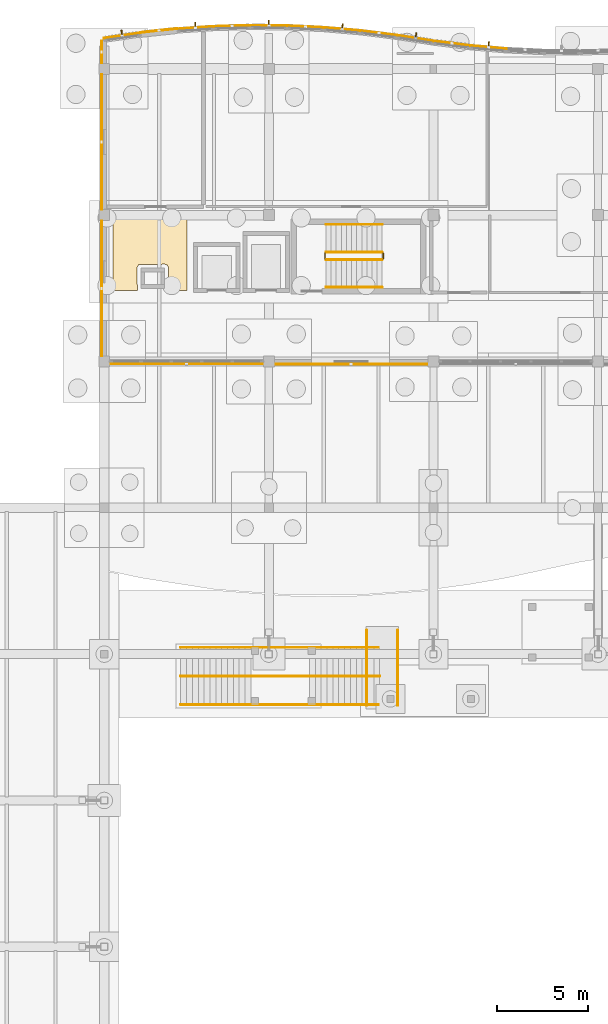
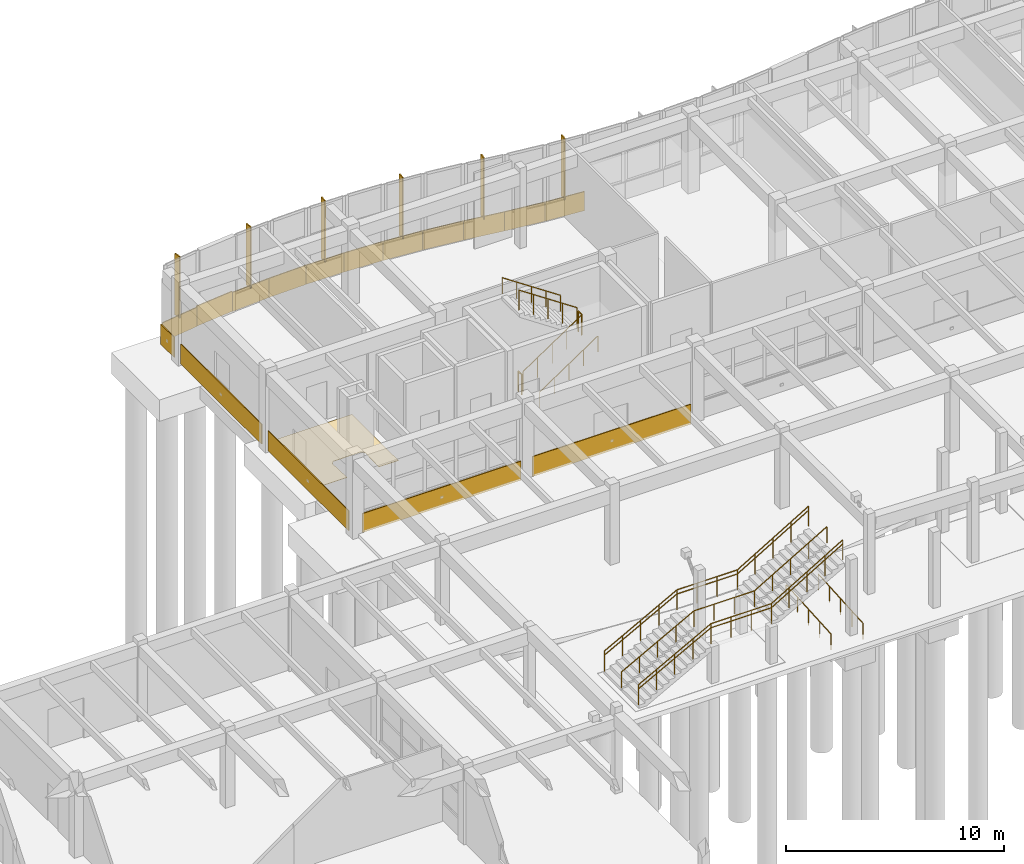
# One storey, part 90 of 99: 17 coverings, 13 railings, 6 shading devices.
"""IFC4 building model written with IfcOpenShell, lengths in metres."""

from ifc_helpers import new_model, si_unit, direction, frame, origin, origin_2d, place, context, subcontext, project, spatial, polyline, rectangle, circle, outline, extrude, material, layer, layer_set, type_object, element, save


model = new_model("IFC4")

# Units and contexts
model_context = context("Model", 3, precision=1e-05, world=origin(), true_north=direction((0.0, 1.0)))
body_context = subcontext(model_context, "Body", "Model", "MODEL_VIEW")
ifc_project = project(units=[si_unit("LENGTHUNIT", "METRE"), si_unit("AREAUNIT", "SQUARE_METRE"), si_unit("VOLUMEUNIT", "CUBIC_METRE"), si_unit("PLANEANGLEUNIT", "RADIAN"), si_unit("MASSUNIT", "GRAM", prefix="KILO")], contexts=[model_context])

# Site, building, storey
site_placement = place(None, origin())
site = spatial("IfcSite", under=ifc_project, at=site_placement, CompositionType="ELEMENT")
building_placement = place(site_placement, origin())
building = spatial("IfcBuilding", under=site, at=building_placement, Name="Tonlespit Floodbar School", CompositionType="ELEMENT")
storey_placement = place(building_placement, origin())
storey = spatial("IfcBuildingStorey", under=building, at=storey_placement, Name="L00", CompositionType="ELEMENT", Elevation=0.0)

# Railings
ifc_material_1 = material(Name="Galvanised Steel", Category="steel")
railing_type_1 = type_object("IfcRailingType", Name="Balustrade_Ext_1150", PredefinedType="BALUSTRADE", material=ifc_material_1)
railing_1_placement = place(storey_placement, frame((48.179931640625, 85.239990234375, 0.173095703125)))
element("IfcRailing", 1, at=railing_1_placement, inside=storey, type_object=railing_type_1, Name="ST-CT1 side guard 1", PredefinedType="BALUSTRADE", context=body_context, shape_type="SweptSolid", body=[
    extrude(circle(Radius=0.02392578125, at=origin_2d()), frame((0.0, 0.0, 1.1259765625), z_axis=(0.879593317441, 0.0, 0.475726387658), x_axis=(0.0, 1.0, 0.0)), (0.0, 0.0, 1.0), 4.36572265625),
    extrude(circle(Radius=0.02392578125, at=origin_2d()), frame((3.840087890625, 0.0, 3.20263671875), z_axis=(1.0, 0.0, 0.0), x_axis=(0.0, 1.0, 0.0)), (0.0, 0.0, 1.0), 3.199951171875),
    extrude(circle(Radius=0.02392578125, at=origin_2d()), frame((7.0400390625, 0.0, 3.20263671875), z_axis=(0.859294626741, 0.0, 0.511480932639), x_axis=(0.0, 1.0, 0.0)), (0.0, 0.0, 1.0), 4.39892578125),
    extrude(circle(Radius=0.02099609375, at=origin_2d()), origin(), (0.0, 0.0, 1.0), 1.101806640625),
    extrude(circle(Radius=0.02099609375, at=origin_2d()), frame((0.9599609375, 0.0, 0.519287109375)), (0.0, 0.0, 1.0), 1.101806640625),
    extrude(circle(Radius=0.02099609375, at=origin_2d()), frame((1.919921875, 0.0, 1.03857421875)), (0.0, 0.0, 1.0), 1.101806640625),
    extrude(circle(Radius=0.02099609375, at=origin_2d()), frame((2.880126953125, 0.0, 1.5576171875)), (0.0, 0.0, 1.0), 1.101806640625),
    extrude(circle(Radius=0.02099609375, at=origin_2d()), frame((3.840087890625, 0.0, 2.076904296875)), (0.0, 0.0, 1.0), 1.101806640625),
    extrude(circle(Radius=0.02099609375, at=origin_2d()), frame((4.90673828125, 0.0, 2.076904296875)), (0.0, 0.0, 1.0), 1.101806640625),
    extrude(circle(Radius=0.02099609375, at=origin_2d()), frame((5.973388671875, 0.0, 2.076904296875)), (0.0, 0.0, 1.0), 1.101806640625),
    extrude(circle(Radius=0.02099609375, at=origin_2d()), frame((7.0400390625, 0.0, 2.076904296875)), (0.0, 0.0, 1.0), 1.101806640625),
    extrude(circle(Radius=0.02099609375, at=origin_2d()), frame((7.985107421875, 0.0, 2.639404296875)), (0.0, 0.0, 1.0), 1.101806640625),
    extrude(circle(Radius=0.02099609375, at=origin_2d()), frame((8.93017578125, 0.0, 3.201904296875)), (0.0, 0.0, 1.0), 1.101806640625),
    extrude(circle(Radius=0.02099609375, at=origin_2d()), frame((9.875, 0.0, 3.764404296875)), (0.0, 0.0, 1.0), 1.101806640625),
    extrude(circle(Radius=0.02099609375, at=origin_2d()), frame((10.820068359375, 0.0, 4.326904296875)), (0.0, 0.0, 1.0), 1.101806640625),
])
railing_2_placement = place(storey_placement, frame((48.179931640625, 88.360107421875, 0.173095703125)))
element("IfcRailing", 2, at=railing_2_placement, inside=storey, type_object=railing_type_1, Name="ST-CT1 side guard 2", PredefinedType="BALUSTRADE", context=body_context, shape_type="SweptSolid", body=[
    extrude(circle(Radius=0.02392578125, at=origin_2d()), frame((0.0, 0.0, 1.1259765625), z_axis=(0.879593317441, 0.0, 0.475726387658), x_axis=(0.0, 1.0, 0.0)), (0.0, 0.0, 1.0), 4.36572265625),
    extrude(circle(Radius=0.02392578125, at=origin_2d()), frame((3.840087890625, 0.0, 3.20263671875), z_axis=(1.0, 0.0, 0.0), x_axis=(0.0, 1.0, 0.0)), (0.0, 0.0, 1.0), 3.199951171875),
    extrude(circle(Radius=0.02392578125, at=origin_2d()), frame((7.0400390625, 0.0, 3.20263671875), z_axis=(0.859294626741, 0.0, 0.511480932639), x_axis=(0.0, 1.0, 0.0)), (0.0, 0.0, 1.0), 4.39892578125),
    extrude(circle(Radius=0.02099609375, at=origin_2d()), origin(), (0.0, 0.0, 1.0), 1.101806640625),
    extrude(circle(Radius=0.02099609375, at=origin_2d()), frame((0.9599609375, 0.0, 0.519287109375)), (0.0, 0.0, 1.0), 1.101806640625),
    extrude(circle(Radius=0.02099609375, at=origin_2d()), frame((1.919921875, 0.0, 1.03857421875)), (0.0, 0.0, 1.0), 1.101806640625),
    extrude(circle(Radius=0.02099609375, at=origin_2d()), frame((2.880126953125, 0.0, 1.5576171875)), (0.0, 0.0, 1.0), 1.101806640625),
    extrude(circle(Radius=0.02099609375, at=origin_2d()), frame((3.840087890625, 0.0, 2.076904296875)), (0.0, 0.0, 1.0), 1.101806640625),
    extrude(circle(Radius=0.02099609375, at=origin_2d()), frame((4.90673828125, 0.0, 2.076904296875)), (0.0, 0.0, 1.0), 1.101806640625),
    extrude(circle(Radius=0.02099609375, at=origin_2d()), frame((5.973388671875, 0.0, 2.076904296875)), (0.0, 0.0, 1.0), 1.101806640625),
    extrude(circle(Radius=0.02099609375, at=origin_2d()), frame((7.0400390625, 0.0, 2.076904296875)), (0.0, 0.0, 1.0), 1.101806640625),
    extrude(circle(Radius=0.02099609375, at=origin_2d()), frame((7.985107421875, 0.0, 2.639404296875)), (0.0, 0.0, 1.0), 1.101806640625),
    extrude(circle(Radius=0.02099609375, at=origin_2d()), frame((8.93017578125, 0.0, 3.201904296875)), (0.0, 0.0, 1.0), 1.101806640625),
    extrude(circle(Radius=0.02099609375, at=origin_2d()), frame((9.875, 0.0, 3.764404296875)), (0.0, 0.0, 1.0), 1.101806640625),
    extrude(circle(Radius=0.02099609375, at=origin_2d()), frame((10.820068359375, 0.0, 4.326904296875)), (0.0, 0.0, 1.0), 1.101806640625),
])

# Coverings
ifc_material_2 = material(Name="White Architectural Aluminium", Category="aluminium")
ifc_layer_1 = layer(ifc_material_2, 0.050048828125)
ifc_layer_set_1 = layer_set([ifc_layer_1], Name="White Architectural Aluminium")
covering_type_1 = type_object("IfcCoveringType", Name="Cladding_WhiteBand_50", PredefinedType="CLADDING", material=ifc_layer_set_1)
covering_1_placement = place(storey_placement, frame((0.0, 0.0, -0.1201171875)))
element("IfcCovering", 3, at=covering_1_placement, inside=storey, type_object=covering_type_1, Name="L00 curved white spandrel cladding 0001", PredefinedType="CLADDING", context=body_context, shape_type="SweptSolid", body=[
    extrude(outline(polyline([(43.985595703125, 121.64892578125), (45.985595703125, 121.940673828125), (45.978515625, 121.989990234375), (43.978515625, 121.698486328125), (43.985595703125, 121.64892578125)])), origin(), (0.0, 0.0, 1.0), 1.070068359375),
])
covering_2_placement = place(storey_placement, frame((0.0, 0.0, -0.1201171875)))
element("IfcCovering", 4, at=covering_2_placement, inside=storey, type_object=covering_type_1, Name="L00 curved white spandrel cladding 0002", PredefinedType="CLADDING", context=body_context, shape_type="SweptSolid", body=[
    extrude(outline(polyline([(45.9873046875, 121.9609375), (47.9873046875, 122.173583984375), (47.98193359375, 122.223388671875), (45.98193359375, 122.010498046875), (45.9873046875, 121.9609375)])), origin(), (0.0, 0.0, 1.0), 1.1201171875),
])
covering_3_placement = place(storey_placement, frame((0.0, 0.0, -0.1201171875)))
element("IfcCovering", 5, at=covering_3_placement, inside=storey, type_object=covering_type_1, Name="L00 curved white spandrel cladding 0003", PredefinedType="CLADDING", context=body_context, shape_type="SweptSolid", body=[
    extrude(outline(polyline([(47.993408203125, 122.154052734375), (49.993408203125, 122.2890625), (49.989990234375, 122.339111328125), (47.989990234375, 122.2041015625), (47.993408203125, 122.154052734375)])), origin(), (0.0, 0.0, 1.0), 1.070068359375),
])
covering_4_placement = place(storey_placement, frame((0.0, 0.0, -0.1201171875)))
element("IfcCovering", 6, at=covering_4_placement, inside=storey, type_object=covering_type_1, Name="L00 curved white spandrel cladding 0004", PredefinedType="CLADDING", context=body_context, shape_type="SweptSolid", body=[
    extrude(outline(polyline([(49.9970703125, 122.289306640625), (51.9970703125, 122.346923828125), (51.99560546875, 122.39697265625), (49.99560546875, 122.33935546875), (49.9970703125, 122.289306640625)])), origin(), (0.0, 0.0, 1.0), 1.070068359375),
])
covering_5_placement = place(storey_placement, frame((0.0, 0.0, -0.1201171875)))
element("IfcCovering", 7, at=covering_5_placement, inside=storey, type_object=covering_type_1, Name="L00 curved white spandrel cladding 0005", PredefinedType="CLADDING", context=body_context, shape_type="SweptSolid", body=[
    extrude(outline(polyline([(52.0009765625, 122.346923828125), (54.0009765625, 122.327880859375), (54.00146484375, 122.377685546875), (52.00146484375, 122.39697265625), (52.0009765625, 122.346923828125)])), origin(), (0.0, 0.0, 1.0), 1.070068359375),
])
covering_6_placement = place(storey_placement, frame((0.0, 0.0, -0.1201171875)))
element("IfcCovering", 8, at=covering_6_placement, inside=storey, type_object=covering_type_1, Name="L00 curved white spandrel cladding 0006", PredefinedType="CLADDING", context=body_context, shape_type="SweptSolid", body=[
    extrude(outline(polyline([(54.0048828125, 122.32763671875), (56.0048828125, 122.2314453125), (56.007080078125, 122.28125), (54.007080078125, 122.377685546875), (54.0048828125, 122.32763671875)])), origin(), (0.0, 0.0, 1.0), 1.070068359375),
])
covering_7_placement = place(storey_placement, frame((0.0, 0.0, -0.1201171875)))
element("IfcCovering", 9, at=covering_7_placement, inside=storey, type_object=covering_type_1, Name="L00 curved white spandrel cladding 0007", PredefinedType="CLADDING", context=body_context, shape_type="SweptSolid", body=[
    extrude(outline(polyline([(56.0087890625, 122.231201171875), (58.0087890625, 122.057373046875), (58.012939453125, 122.107177734375), (56.012939453125, 122.281005859375), (56.0087890625, 122.231201171875)])), origin(), (0.0, 0.0, 1.0), 1.070068359375),
])
covering_8_placement = place(storey_placement, frame((0.0, 0.0, -0.1201171875)))
element("IfcCovering", 10, at=covering_8_placement, inside=storey, type_object=covering_type_1, Name="L00 curved white spandrel cladding 0008", PredefinedType="CLADDING", context=body_context, shape_type="SweptSolid", body=[
    extrude(outline(polyline([(58.012451171875, 122.056884765625), (60.012451171875, 121.804931640625), (60.018798828125, 121.8544921875), (58.018798828125, 122.1064453125), (58.012451171875, 122.056884765625)])), origin(), (0.0, 0.0, 1.0), 1.070068359375),
])
covering_9_placement = place(storey_placement, frame((0.0, 0.0, -0.1201171875)))
element("IfcCovering", 11, at=covering_9_placement, inside=storey, type_object=covering_type_1, Name="L00 curved white spandrel cladding 0009", PredefinedType="CLADDING", context=body_context, shape_type="SweptSolid", body=[
    extrude(outline(polyline([(60.015380859375, 121.804443359375), (62.015380859375, 121.4931640625), (62.023193359375, 121.54248046875), (60.023193359375, 121.85400390625), (60.015380859375, 121.804443359375)])), origin(), (0.0, 0.0, 1.0), 1.070068359375),
])
covering_10_placement = place(storey_placement, frame((0.0, 0.0, -0.1201171875)))
element("IfcCovering", 12, at=covering_10_placement, inside=storey, type_object=covering_type_1, Name="L00 curved white spandrel cladding 0010", PredefinedType="CLADDING", context=body_context, shape_type="SweptSolid", body=[
    extrude(outline(polyline([(62.012451171875, 121.493408203125), (64.012451171875, 121.241455078125), (64.018798828125, 121.291015625), (62.018798828125, 121.543212890625), (62.012451171875, 121.493408203125)])), origin(), (0.0, 0.0, 1.0), 1.070068359375),
])
covering_11_placement = place(storey_placement, frame((0.0, 0.0, -0.1201171875)))
element("IfcCovering", 13, at=covering_11_placement, inside=storey, type_object=covering_type_1, Name="L00 curved white spandrel cladding 0011", PredefinedType="CLADDING", context=body_context, shape_type="SweptSolid", body=[
    extrude(outline(polyline([(64.0087890625, 121.241943359375), (66.0087890625, 121.068115234375), (66.012939453125, 121.117919921875), (64.012939453125, 121.291748046875), (64.0087890625, 121.241943359375)])), origin(), (0.0, 0.0, 1.0), 1.070068359375),
])
covering_12_placement = place(storey_placement, frame((0.0, 0.0, -0.1201171875)))
element("IfcCovering", 14, at=covering_12_placement, inside=storey, type_object=covering_type_1, Name="L00 curved white spandrel cladding 0043", PredefinedType="CLADDING", context=body_context, shape_type="SweptSolid", body=[
    extrude(outline(polyline([(61.699951171875, 103.8798828125), (53.300048828125, 103.8798828125), (53.300048828125, 103.830078125), (61.699951171875, 103.830078125), (61.699951171875, 103.8798828125)])), origin(), (0.0, 0.0, 1.0), 1.1201171875),
])
covering_13_placement = place(storey_placement, frame((0.0, 0.0, -0.1201171875)))
element("IfcCovering", 15, at=covering_13_placement, inside=storey, type_object=covering_type_1, Name="L00 curved white spandrel cladding 0044", PredefinedType="CLADDING", context=body_context, shape_type="SweptSolid", body=[
    extrude(outline(polyline([(52.699951171875, 103.89990234375), (44.300048828125, 103.89990234375), (44.300048828125, 103.85009765625), (52.699951171875, 103.85009765625), (52.699951171875, 103.89990234375)])), origin(), (0.0, 0.0, 1.0), 1.070068359375),
])
covering_14_placement = place(storey_placement, frame((0.0, 0.0, -0.1201171875)))
element("IfcCovering", 16, at=covering_14_placement, inside=storey, type_object=covering_type_1, Name="L00 curved white spandrel cladding 0045", PredefinedType="CLADDING", context=body_context, shape_type="SweptSolid", body=[
    extrude(outline(polyline([(43.8798828125, 104.300048828125), (43.8798828125, 111.699951171875), (43.830078125, 111.699951171875), (43.830078125, 104.300048828125), (43.8798828125, 104.300048828125)])), origin(), (0.0, 0.0, 1.0), 1.1201171875),
])
covering_15_placement = place(storey_placement, frame((0.0, 0.0, -0.1201171875)))
element("IfcCovering", 17, at=covering_15_placement, inside=storey, type_object=covering_type_1, Name="L00 curved white spandrel cladding 0046", PredefinedType="CLADDING", context=body_context, shape_type="SweptSolid", body=[
    extrude(outline(polyline([(43.8798828125, 112.300048828125), (43.8798828125, 119.699951171875), (43.830078125, 119.699951171875), (43.830078125, 112.300048828125), (43.8798828125, 112.300048828125)])), origin(), (0.0, 0.0, 1.0), 1.1201171875),
])
covering_16_placement = place(storey_placement, frame((0.0, 0.0, -0.1201171875)))
element("IfcCovering", 18, at=covering_16_placement, inside=storey, type_object=covering_type_1, Name="L00 curved white spandrel cladding 0047", PredefinedType="CLADDING", context=body_context, shape_type="SweptSolid", body=[
    extrude(outline(polyline([(43.8798828125, 120.300048828125), (43.8798828125, 121.550048828125), (43.830078125, 121.550048828125), (43.830078125, 120.300048828125), (43.8798828125, 120.300048828125)])), origin(), (0.0, 0.0, 1.0), 1.1201171875),
])
ifc_material_3 = material(Name="Terrazzo Tile")
ifc_layer_2 = layer(ifc_material_3, 0.02001953125)
ifc_layer_set_2 = layer_set([ifc_layer_2], Name="Terrazzo Tile")
covering_type_2 = type_object("IfcCoveringType", Name="Flooring_Terrazzo_20", PredefinedType="FLOORING", material=ifc_layer_set_2)
covering_17_placement = place(storey_placement, origin())
element("IfcCovering", 19, at=covering_17_placement, inside=storey, type_object=covering_type_2, Name="L00 West Core Link Passage terrazzo flooring", PredefinedType="FLOORING", context=body_context, shape_type="SweptSolid", body=[
    extrude(outline(polyline([(44.469970703125, 111.548095703125), (44.52001953125, 112.1298828125), (48.530029296875, 112.1298828125), (48.530029296875, 107.8701171875), (47.487060546875, 107.8701171875), (47.51904296875, 109.1396484375), (47.447021484375, 109.274658203125), (47.320068359375, 109.320068359375), (45.8857421875, 109.29638671875), (45.781005859375, 109.1396484375), (45.81298828125, 107.8701171875), (44.469970703125, 107.8701171875), (44.469970703125, 111.548095703125)])), origin(), (0.0, 0.0, 1.0), 0.02001953125),
])

# Railings
railing_type_2 = type_object("IfcRailingType", Name="Guard_Int_1150", PredefinedType="BALUSTRADE", material=ifc_material_1)
railing_3_placement = place(storey_placement, frame((56.1201171875, 109.570068359375, 0.1875)))
element("IfcRailing", 20, at=railing_3_placement, inside=storey, type_object=railing_type_2, Name="L00 ST-C1 stair guard 1", PredefinedType="BALUSTRADE", context=body_context, shape_type="SweptSolid", body=[
    extrude(circle(Radius=0.02392578125, at=origin_2d()), frame((0.0, 0.0, 1.1259765625), z_axis=(0.830893310487, 0.0, 0.556431762742), x_axis=(0.0, 1.0, 0.0)), (0.0, 0.0, 1.0), 3.70654296875),
    extrude(circle(Radius=0.02099609375, at=origin_2d()), origin(), (0.0, 0.0, 1.0), 1.101806640625),
    extrude(circle(Radius=0.02099609375, at=origin_2d()), frame((0.77001953125, 0.0, 0.515625)), (0.0, 0.0, 1.0), 1.101806640625),
    extrude(circle(Radius=0.02099609375, at=origin_2d()), frame((1.5400390625, 0.0, 1.03125)), (0.0, 0.0, 1.0), 1.101806640625),
    extrude(circle(Radius=0.02099609375, at=origin_2d()), frame((2.309814453125, 0.0, 1.546875)), (0.0, 0.0, 1.0), 1.101806640625),
    extrude(circle(Radius=0.02099609375, at=origin_2d()), frame((3.079833984375, 0.0, 2.0625)), (0.0, 0.0, 1.0), 1.101806640625),
])
railing_4_placement = place(storey_placement, frame((59.25, 109.6201171875, 2.25)))
element("IfcRailing", 21, at=railing_4_placement, inside=storey, type_object=railing_type_2, Name="L00 ST-C1 stair guard 2", PredefinedType="BALUSTRADE", context=body_context, shape_type="SweptSolid", body=[
    extrude(circle(Radius=0.02392578125, at=origin_2d()), frame((0.0, 0.0, 1.1259765625), z_axis=(0.0, 1.0, 0.0), x_axis=(-1.0, 0.0, 0.0)), (0.0, 0.0, 1.0), 0.2998046875),
    extrude(circle(Radius=0.02099609375, at=origin_2d()), origin(), (0.0, 0.0, 1.0), 1.101806640625),
    extrude(circle(Radius=0.02099609375, at=origin_2d()), frame((0.0, 0.2998046875, 0.0)), (0.0, 0.0, 1.0), 1.101806640625),
])
railing_5_placement = place(storey_placement, frame((59.199951171875, 109.969970703125, 2.4375)))
element("IfcRailing", 22, at=railing_5_placement, inside=storey, type_object=railing_type_2, Name="L00 ST-C1 stair guard 3", PredefinedType="BALUSTRADE", context=body_context, shape_type="SweptSolid", body=[
    extrude(circle(Radius=0.02392578125, at=origin_2d()), frame((0.0, 0.0, 1.1259765625), z_axis=(-0.830893310487, 0.0, 0.556431762742), x_axis=(0.0, -1.0, 0.0)), (0.0, 0.0, 1.0), 3.70654296875),
    extrude(circle(Radius=0.02099609375, at=origin_2d()), origin(), (0.0, 0.0, 1.0), 1.101806640625),
    extrude(circle(Radius=0.02099609375, at=origin_2d()), frame((-0.77001953125, 0.0, 0.515625)), (0.0, 0.0, 1.0), 1.101806640625),
    extrude(circle(Radius=0.02099609375, at=origin_2d()), frame((-1.5400390625, 0.0, 1.03125)), (0.0, 0.0, 1.0), 1.101806640625),
    extrude(circle(Radius=0.02099609375, at=origin_2d()), frame((-2.309814453125, 0.0, 1.546875)), (0.0, 0.0, 1.0), 1.101806640625),
    extrude(circle(Radius=0.02099609375, at=origin_2d()), frame((-3.079833984375, 0.0, 2.0625)), (0.0, 0.0, 1.0), 1.101806640625),
])
railing_6_placement = place(storey_placement, frame((56.070068359375, 109.6201171875, 0.0)))
element("IfcRailing", 23, at=railing_6_placement, inside=storey, type_object=railing_type_2, Name="L00 ST-C1 stair guard 4", PredefinedType="BALUSTRADE", context=body_context, shape_type="SweptSolid", body=[
    extrude(circle(Radius=0.02392578125, at=origin_2d()), frame((0.0, 0.0, 1.1259765625), z_axis=(0.0, 1.0, 0.0), x_axis=(-1.0, 0.0, 0.0)), (0.0, 0.0, 1.0), 0.2998046875),
    extrude(circle(Radius=0.02099609375, at=origin_2d()), origin(), (0.0, 0.0, 1.0), 1.101806640625),
    extrude(circle(Radius=0.02099609375, at=origin_2d()), frame((0.0, 0.2998046875, 0.0)), (0.0, 0.0, 1.0), 1.101806640625),
])
railing_type_3 = type_object("IfcRailingType", Name="Handrail_Ext_920", PredefinedType="HANDRAIL", material=ifc_material_1)
railing_7_placement = place(storey_placement, frame((48.179931640625, 86.800048828125, 0.173095703125)))
element("IfcRailing", 24, at=railing_7_placement, inside=storey, type_object=railing_type_3, Name="ST-CT1 central handrail", PredefinedType="HANDRAIL", context=body_context, shape_type="SweptSolid", body=[
    extrude(circle(Radius=0.02392578125, at=origin_2d()), frame((0.0, 0.0, 0.89599609375), z_axis=(0.879593317441, 0.0, 0.475726387658), x_axis=(0.0, 1.0, 0.0)), (0.0, 0.0, 1.0), 4.36572265625),
    extrude(circle(Radius=0.02392578125, at=origin_2d()), frame((3.840087890625, 0.0, 2.97265625), z_axis=(1.0, 0.0, 0.0), x_axis=(0.0, 1.0, 0.0)), (0.0, 0.0, 1.0), 3.199951171875),
    extrude(circle(Radius=0.02392578125, at=origin_2d()), frame((7.0400390625, 0.0, 2.97265625), z_axis=(0.862804407299, 0.0, 0.505537886558), x_axis=(0.0, 1.0, 0.0)), (0.0, 0.0, 1.0), 4.45068359375),
    extrude(circle(Radius=0.02099609375, at=origin_2d()), origin(), (0.0, 0.0, 1.0), 0.871826171875),
    extrude(circle(Radius=0.02099609375, at=origin_2d()), frame((0.9599609375, 0.0, 0.519287109375)), (0.0, 0.0, 1.0), 0.871826171875),
    extrude(circle(Radius=0.02099609375, at=origin_2d()), frame((1.919921875, 0.0, 1.03857421875)), (0.0, 0.0, 1.0), 0.871826171875),
    extrude(circle(Radius=0.02099609375, at=origin_2d()), frame((2.880126953125, 0.0, 1.5576171875)), (0.0, 0.0, 1.0), 0.871826171875),
    extrude(circle(Radius=0.02099609375, at=origin_2d()), frame((3.840087890625, 0.0, 2.076904296875)), (0.0, 0.0, 1.0), 0.871826171875),
    extrude(circle(Radius=0.02099609375, at=origin_2d()), frame((4.90673828125, 0.0, 2.076904296875)), (0.0, 0.0, 1.0), 0.871826171875),
    extrude(circle(Radius=0.02099609375, at=origin_2d()), frame((5.973388671875, 0.0, 2.076904296875)), (0.0, 0.0, 1.0), 0.871826171875),
    extrude(circle(Radius=0.02099609375, at=origin_2d()), frame((7.0400390625, 0.0, 2.076904296875)), (0.0, 0.0, 1.0), 0.871826171875),
    extrude(circle(Radius=0.02099609375, at=origin_2d()), frame((8.0, 0.0, 2.639404296875)), (0.0, 0.0, 1.0), 0.871826171875),
    extrude(circle(Radius=0.02099609375, at=origin_2d()), frame((8.9599609375, 0.0, 3.201904296875)), (0.0, 0.0, 1.0), 0.871826171875),
    extrude(circle(Radius=0.02099609375, at=origin_2d()), frame((9.920166015625, 0.0, 3.764404296875)), (0.0, 0.0, 1.0), 0.871826171875),
    extrude(circle(Radius=0.02099609375, at=origin_2d()), frame((10.880126953125, 0.0, 4.326904296875)), (0.0, 0.0, 1.0), 0.871826171875),
])
railing_8_placement = place(storey_placement, frame((48.179931640625, 85.239990234375, 0.173095703125)))
element("IfcRailing", 25, at=railing_8_placement, inside=storey, type_object=railing_type_3, Name="ST-CT1 handrail 1", PredefinedType="HANDRAIL", context=body_context, shape_type="SweptSolid", body=[
    extrude(circle(Radius=0.02392578125, at=origin_2d()), frame((0.0, 0.0, 0.89599609375), z_axis=(0.879593317441, 0.0, 0.475726387658), x_axis=(0.0, 1.0, 0.0)), (0.0, 0.0, 1.0), 4.36572265625),
    extrude(circle(Radius=0.02392578125, at=origin_2d()), frame((3.840087890625, 0.0, 2.97265625), z_axis=(1.0, 0.0, 0.0), x_axis=(0.0, 1.0, 0.0)), (0.0, 0.0, 1.0), 3.199951171875),
    extrude(circle(Radius=0.02392578125, at=origin_2d()), frame((7.0400390625, 0.0, 2.97265625), z_axis=(0.859294626741, 0.0, 0.511480932639), x_axis=(0.0, 1.0, 0.0)), (0.0, 0.0, 1.0), 4.39892578125),
    extrude(circle(Radius=0.02099609375, at=origin_2d()), origin(), (0.0, 0.0, 1.0), 0.871826171875),
    extrude(circle(Radius=0.02099609375, at=origin_2d()), frame((0.9599609375, 0.0, 0.519287109375)), (0.0, 0.0, 1.0), 0.871826171875),
    extrude(circle(Radius=0.02099609375, at=origin_2d()), frame((1.919921875, 0.0, 1.03857421875)), (0.0, 0.0, 1.0), 0.871826171875),
    extrude(circle(Radius=0.02099609375, at=origin_2d()), frame((2.880126953125, 0.0, 1.5576171875)), (0.0, 0.0, 1.0), 0.871826171875),
    extrude(circle(Radius=0.02099609375, at=origin_2d()), frame((3.840087890625, 0.0, 2.076904296875)), (0.0, 0.0, 1.0), 0.871826171875),
    extrude(circle(Radius=0.02099609375, at=origin_2d()), frame((4.90673828125, 0.0, 2.076904296875)), (0.0, 0.0, 1.0), 0.871826171875),
    extrude(circle(Radius=0.02099609375, at=origin_2d()), frame((5.973388671875, 0.0, 2.076904296875)), (0.0, 0.0, 1.0), 0.871826171875),
    extrude(circle(Radius=0.02099609375, at=origin_2d()), frame((7.0400390625, 0.0, 2.076904296875)), (0.0, 0.0, 1.0), 0.871826171875),
    extrude(circle(Radius=0.02099609375, at=origin_2d()), frame((7.985107421875, 0.0, 2.639404296875)), (0.0, 0.0, 1.0), 0.871826171875),
    extrude(circle(Radius=0.02099609375, at=origin_2d()), frame((8.93017578125, 0.0, 3.201904296875)), (0.0, 0.0, 1.0), 0.871826171875),
    extrude(circle(Radius=0.02099609375, at=origin_2d()), frame((9.875, 0.0, 3.764404296875)), (0.0, 0.0, 1.0), 0.871826171875),
    extrude(circle(Radius=0.02099609375, at=origin_2d()), frame((10.820068359375, 0.0, 4.326904296875)), (0.0, 0.0, 1.0), 0.871826171875),
])
railing_9_placement = place(storey_placement, frame((48.179931640625, 88.360107421875, 0.173095703125)))
element("IfcRailing", 26, at=railing_9_placement, inside=storey, type_object=railing_type_3, Name="ST-CT1 handrail 2", PredefinedType="HANDRAIL", context=body_context, shape_type="SweptSolid", body=[
    extrude(circle(Radius=0.02392578125, at=origin_2d()), frame((0.0, 0.0, 0.89599609375), z_axis=(0.879593317441, 0.0, 0.475726387658), x_axis=(0.0, 1.0, 0.0)), (0.0, 0.0, 1.0), 4.36572265625),
    extrude(circle(Radius=0.02392578125, at=origin_2d()), frame((3.840087890625, 0.0, 2.97265625), z_axis=(1.0, 0.0, 0.0), x_axis=(0.0, 1.0, 0.0)), (0.0, 0.0, 1.0), 3.199951171875),
    extrude(circle(Radius=0.02392578125, at=origin_2d()), frame((7.0400390625, 0.0, 2.97265625), z_axis=(0.859294626741, 0.0, 0.511480932639), x_axis=(0.0, 1.0, 0.0)), (0.0, 0.0, 1.0), 4.39892578125),
    extrude(circle(Radius=0.02099609375, at=origin_2d()), origin(), (0.0, 0.0, 1.0), 0.871826171875),
    extrude(circle(Radius=0.02099609375, at=origin_2d()), frame((0.9599609375, 0.0, 0.519287109375)), (0.0, 0.0, 1.0), 0.871826171875),
    extrude(circle(Radius=0.02099609375, at=origin_2d()), frame((1.919921875, 0.0, 1.03857421875)), (0.0, 0.0, 1.0), 0.871826171875),
    extrude(circle(Radius=0.02099609375, at=origin_2d()), frame((2.880126953125, 0.0, 1.5576171875)), (0.0, 0.0, 1.0), 0.871826171875),
    extrude(circle(Radius=0.02099609375, at=origin_2d()), frame((3.840087890625, 0.0, 2.076904296875)), (0.0, 0.0, 1.0), 0.871826171875),
    extrude(circle(Radius=0.02099609375, at=origin_2d()), frame((4.90673828125, 0.0, 2.076904296875)), (0.0, 0.0, 1.0), 0.871826171875),
    extrude(circle(Radius=0.02099609375, at=origin_2d()), frame((5.973388671875, 0.0, 2.076904296875)), (0.0, 0.0, 1.0), 0.871826171875),
    extrude(circle(Radius=0.02099609375, at=origin_2d()), frame((7.0400390625, 0.0, 2.076904296875)), (0.0, 0.0, 1.0), 0.871826171875),
    extrude(circle(Radius=0.02099609375, at=origin_2d()), frame((7.985107421875, 0.0, 2.639404296875)), (0.0, 0.0, 1.0), 0.871826171875),
    extrude(circle(Radius=0.02099609375, at=origin_2d()), frame((8.93017578125, 0.0, 3.201904296875)), (0.0, 0.0, 1.0), 0.871826171875),
    extrude(circle(Radius=0.02099609375, at=origin_2d()), frame((9.875, 0.0, 3.764404296875)), (0.0, 0.0, 1.0), 0.871826171875),
    extrude(circle(Radius=0.02099609375, at=origin_2d()), frame((10.820068359375, 0.0, 4.326904296875)), (0.0, 0.0, 1.0), 0.871826171875),
])
for number, where, name in (
    (27, (60.050048828125, 85.199951171875, -0.284912109375), "Ramp RMP-N1 handrail 1"),
    (28, (58.35009765625, 85.199951171875, -0.284912109375), "Ramp RMP-N1 handrail 2"),
):
    element("IfcRailing", number, at=place(storey_placement, frame(where)), inside=storey, type_object=railing_type_3, Name=name, PredefinedType="HANDRAIL", context=body_context, shape_type="SweptSolid", body=[
        extrude(circle(Radius=0.02392578125, at=origin_2d()), frame((0.0, 0.0, 0.89599609375), z_axis=(0.0, 0.997838466011, 0.065714501811), x_axis=(-1.0, 0.0, 0.0)), (0.0, 0.0, 1.0), 4.10888671875),
        extrude(circle(Radius=0.02099609375, at=origin_2d()), origin(), (0.0, 0.0, 1.0), 0.871826171875),
        extrude(circle(Radius=0.02099609375, at=origin_2d()), frame((0.0, 1.02490234375, 0.0673828125)), (0.0, 0.0, 1.0), 0.871826171875),
        extrude(circle(Radius=0.02099609375, at=origin_2d()), frame((0.0, 2.050048828125, 0.135009765625)), (0.0, 0.0, 1.0), 0.871826171875),
        extrude(circle(Radius=0.02099609375, at=origin_2d()), frame((0.0, 3.0751953125, 0.20263671875)), (0.0, 0.0, 1.0), 0.871826171875),
        extrude(circle(Radius=0.02099609375, at=origin_2d()), frame((0.0, 4.10009765625, 0.27001953125)), (0.0, 0.0, 1.0), 0.871826171875),
    ])
railing_type_4 = type_object("IfcRailingType", Name="Handrail_Int_920", PredefinedType="HANDRAIL", material=ifc_material_1)
railing_10_placement = place(storey_placement, frame((56.1201171875, 108.050048828125, 0.1875)))
element("IfcRailing", 29, at=railing_10_placement, inside=storey, type_object=railing_type_4, Name="L00 ST-C1 stair handrail 1", PredefinedType="HANDRAIL", context=body_context, shape_type="SweptSolid", body=[
    extrude(circle(Radius=0.02392578125, at=origin_2d()), frame((0.0, 0.0, 0.89599609375), z_axis=(0.830893310487, 0.0, 0.556431762742), x_axis=(0.0, 1.0, 0.0)), (0.0, 0.0, 1.0), 3.70654296875),
    extrude(circle(Radius=0.02099609375, at=origin_2d()), origin(), (0.0, 0.0, 1.0), 0.871826171875),
    extrude(circle(Radius=0.02099609375, at=origin_2d()), frame((0.77001953125, 0.0, 0.515625)), (0.0, 0.0, 1.0), 0.871826171875),
    extrude(circle(Radius=0.02099609375, at=origin_2d()), frame((1.5400390625, 0.0, 1.03125)), (0.0, 0.0, 1.0), 0.871826171875),
    extrude(circle(Radius=0.02099609375, at=origin_2d()), frame((2.309814453125, 0.0, 1.546875)), (0.0, 0.0, 1.0), 0.871826171875),
    extrude(circle(Radius=0.02099609375, at=origin_2d()), frame((3.079833984375, 0.0, 2.0625)), (0.0, 0.0, 1.0), 0.871826171875),
])
railing_11_placement = place(storey_placement, frame((59.199951171875, 111.489990234375, 2.4375)))
element("IfcRailing", 30, at=railing_11_placement, inside=storey, type_object=railing_type_4, Name="L00 ST-C1 stair handrail 2", PredefinedType="HANDRAIL", context=body_context, shape_type="SweptSolid", body=[
    extrude(circle(Radius=0.02392578125, at=origin_2d()), frame((0.0, 0.0, 0.89599609375), z_axis=(-0.830893310487, 0.0, 0.556431762742), x_axis=(0.0, -1.0, 0.0)), (0.0, 0.0, 1.0), 3.70654296875),
    extrude(circle(Radius=0.02099609375, at=origin_2d()), origin(), (0.0, 0.0, 1.0), 0.871826171875),
    extrude(circle(Radius=0.02099609375, at=origin_2d()), frame((-0.77001953125, 0.0, 0.515625)), (0.0, 0.0, 1.0), 0.871826171875),
    extrude(circle(Radius=0.02099609375, at=origin_2d()), frame((-1.5400390625, 0.0, 1.03125)), (0.0, 0.0, 1.0), 0.871826171875),
    extrude(circle(Radius=0.02099609375, at=origin_2d()), frame((-2.309814453125, 0.0, 1.546875)), (0.0, 0.0, 1.0), 0.871826171875),
    extrude(circle(Radius=0.02099609375, at=origin_2d()), frame((-3.079833984375, 0.0, 2.0625)), (0.0, 0.0, 1.0), 0.871826171875),
])

# Shading devices
ifc_material_4 = material(Name="Terracotta Anodised Aluminium", Category="masonry")
ifc_layer_3 = layer(ifc_material_4, 0.06005859375)
ifc_layer_set_3 = layer_set([ifc_layer_3], Name="Terracotta Anodised Aluminium")
shading_device_type = type_object("IfcShadingDeviceType", Name="Shading_SolarFin_350", PredefinedType="USERDEFINED", material=ifc_layer_set_3)
for number, where, z_axis, x_axis, name in (
    (31, (44.96240234375, 121.953125, 0.800048828125), (0.0, 0.0, 1.0), (0.989537627347, 0.144275029245, 0.0), "L00 vertical solar fin 001"),
    (32, (48.982421875, 122.381103515625, 0.800048828125), (0.0, 0.0, 1.0), (0.997729639049, 0.067346621018, 0.0), "L00 vertical solar fin 002"),
    (33, (53.00244140625, 122.497314453125, 0.800048828125), (0.0, 0.0, 1.0), (0.999953926969, -0.009599163462, 0.0), "L00 vertical solar fin 003"),
    (34, (57.0224609375, 122.3037109375, 0.800048828125), (0.0, 0.0, 1.0), (0.996245486492, -0.086573267488, 0.0), "L00 vertical solar fin 004"),
    (35, (61.0400390625, 121.806884765625, 0.800048828125), (0.0, 0.0, 1.0), (0.988094768361, -0.153846445322, 0.0), "L00 vertical solar fin 005"),
    (36, (65.0224609375, 121.314453125, 0.800048828125), (0.0, 0.0, 1.0), (0.996245486492, -0.086573267488, 0.0), "L00 vertical solar fin 006"),
):
    element("IfcShadingDevice", number, at=place(storey_placement, frame(where, z_axis=z_axis, x_axis=x_axis)), inside=storey, type_object=shading_device_type, Name=name, ObjectType="SOLAR FIN", PredefinedType="USERDEFINED", context=body_context, shape_type="SweptSolid", body=[
        extrude(rectangle(XDim=0.06005859375, YDim=0.35009765625, at=origin_2d()), origin(), (0.0, 0.0, 1.0), 3.43994140625),
    ])

save(model, "model.ifc")
